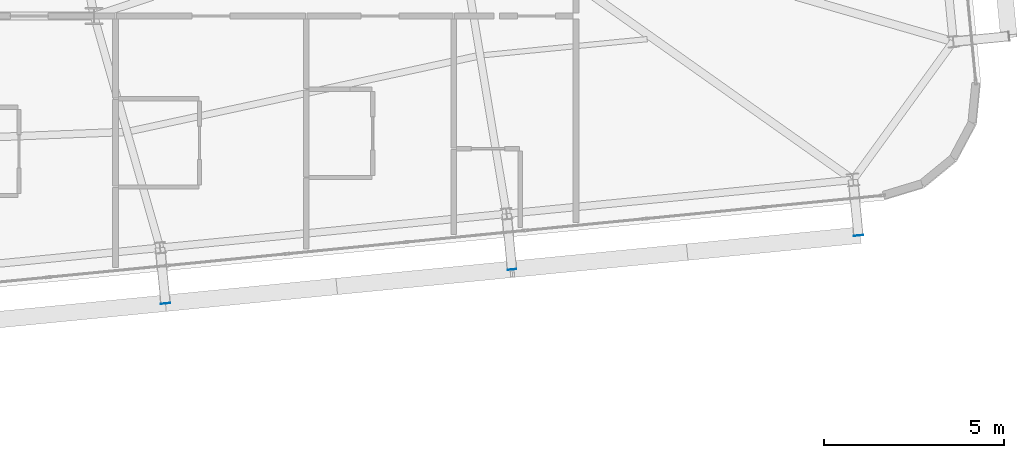
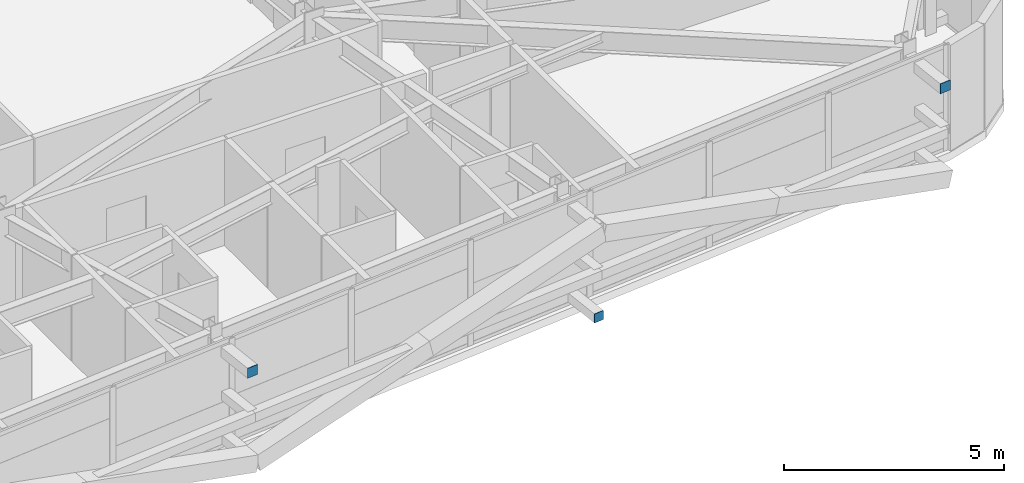
# One storey, part 41 of 53: 3 plates.
"""IFC4 building model written with IfcOpenShell, lengths in metres."""

from ifc_helpers import new_model, si_unit, direction, frame, origin, origin_2d, place, context, subcontext, project, spatial, rectangle, extrude, source, transform, mapped, material, layer, layer_set, type_object, element, save


model = new_model("IFC4")

# Units and contexts
model_context = context("Model", 3, precision=1e-05, world=origin(), true_north=direction((0.0, 1.0)))
body_context = subcontext(model_context, "Body", "Model", "MODEL_VIEW")
ifc_project = project(units=[si_unit("LENGTHUNIT", "METRE"), si_unit("AREAUNIT", "SQUARE_METRE"), si_unit("VOLUMEUNIT", "CUBIC_METRE"), si_unit("PLANEANGLEUNIT", "RADIAN"), si_unit("MASSUNIT", "GRAM", prefix="KILO")], contexts=[model_context])

# Site, building, storey
site_placement = place(None, origin())
site = spatial("IfcSite", under=ifc_project, at=site_placement, CompositionType="ELEMENT")
building_placement = place(site_placement, origin())
building = spatial("IfcBuilding", under=site, at=building_placement, Name="Taldren Reach Tower", CompositionType="ELEMENT")
storey_placement = place(building_placement, frame((0.0, 0.0, 71.39990234375)))
storey = spatial("IfcBuildingStorey", under=building, at=storey_placement, Name="L21", CompositionType="ELEMENT", Elevation=71.39990234375)

# Plates
ifc_material_1 = material(Name="Steel Gr 450 (C450L0)", Category="steel")
ifc_layer_1 = layer(ifc_material_1, 0.011962890625)
ifc_layer_set_1 = layer_set([ifc_layer_1], Name="Steel Gr 450 (C450L0)")
plate_type_1 = type_object("IfcPlateType", Name="PL-CAP-275", PredefinedType="SHEET", material=ifc_layer_set_1)
shared_shape_1 = source(origin(), body_context, "Body", "SweptSolid", [
    extrude(rectangle(XDim=0.27490234375, YDim=0.011962890625, at=origin_2d()), origin(), (0.0, 0.0, 1.0), 0.27490234375),
])
for number, where, z_axis, x_axis, name in (
    (1, (43.9873046875, 1.205322265625, 2.5126953125), (0.0, 0.0, 1.0), (0.995227399982, 0.097582899759, 0.0), "Tie strut end cap plate B2-S4 L21"),
    (2, (63.255126953125, 3.094482421875, 2.5126953125), (0.0, 0.0, 1.0), (0.995227399982, 0.097582899759, 0.0), "Tie strut end cap plate B2-S6 L21"),
):
    element("IfcPlate", number, at=place(storey_placement, frame(where, z_axis=z_axis, x_axis=x_axis)), inside=storey, type_object=plate_type_1, Name=name, PredefinedType="SHEET", context=body_context, shape_type="MappedRepresentation", body=[
        mapped(shared_shape_1, transform((0.0, 0.0, 0.0), scale=1.0)),
    ])
ifc_material_2 = material(Name="Steel Gr 350 (C350L0)", Category="steel")
ifc_layer_2 = layer(ifc_material_2, 0.011962890625)
ifc_layer_set_2 = layer_set([ifc_layer_2], Name="Steel Gr 350 (C350L0)")
plate_type_2 = type_object("IfcPlateType", Name="PL-CAP-250", PredefinedType="SHEET", material=ifc_layer_set_2)
shared_shape_2 = source(origin(), body_context, "Body", "SweptSolid", [
    extrude(rectangle(XDim=0.25, YDim=0.011962890625, at=origin_2d()), origin(), (0.0, 0.0, 1.0), 0.25),
])
plate_placement = place(storey_placement, frame((53.62109375, 2.14990234375, 0.09521484375), z_axis=(0.0, 0.0, 1.0), x_axis=(0.995227399982, 0.097582899759, 0.0)))
element("IfcPlate", 3, at=plate_placement, inside=storey, type_object=plate_type_2, Name="Tie strut end cap plate B2-S5 L21", PredefinedType="SHEET", context=body_context, shape_type="MappedRepresentation", body=[
    mapped(shared_shape_2, transform((0.0, 0.0, 0.0), scale=1.0)),
])

save(model, "model.ifc")
